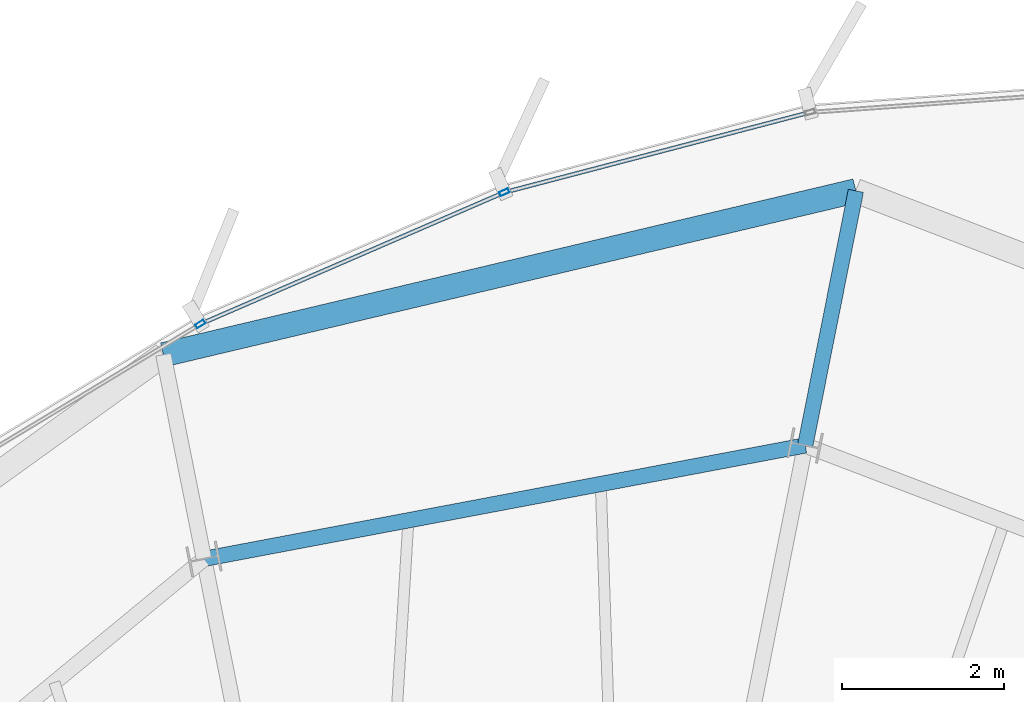
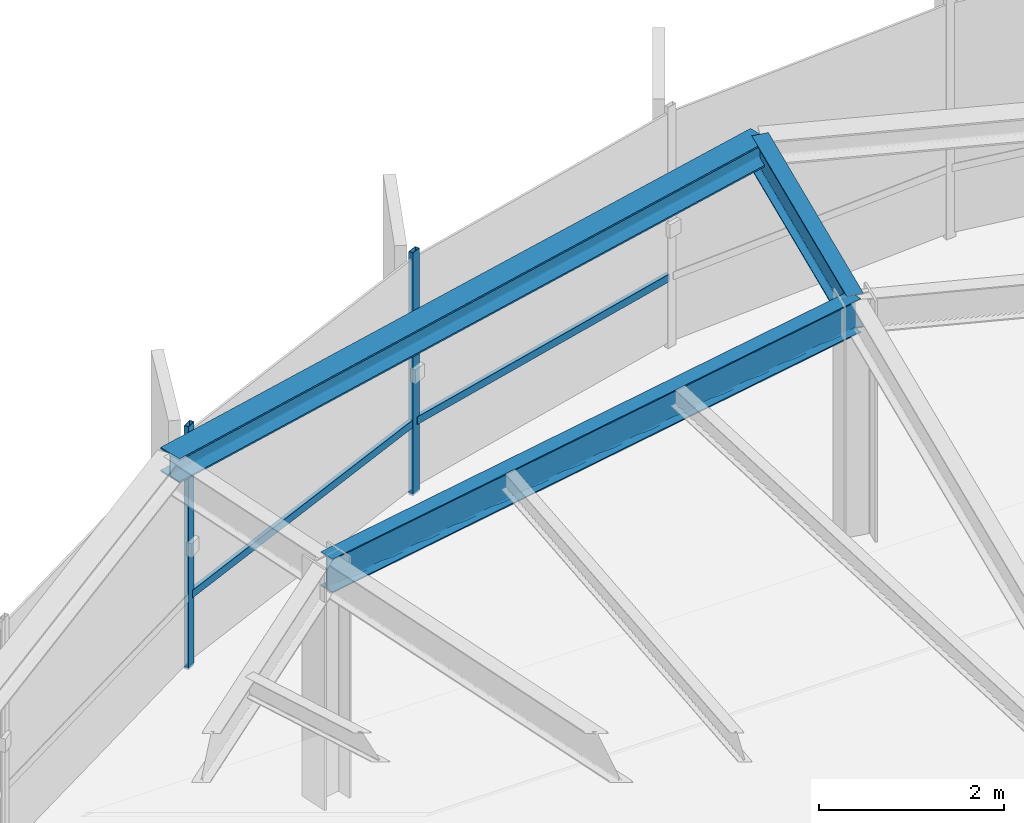
# One storey, part 21 of 33: 4 members, 3 beams, 1 element without a shape of its own.
"""IFC4 building model written with IfcOpenShell, lengths in metres."""

from ifc_helpers import new_model, si_unit, direction, frame, origin, origin_2d, place, context, subcontext, project, spatial, hollow_rectangle, i_section, extrude, source, transform, mapped, material, layer, layer_set, material_profile, profile_set, type_object, element, aggregate, save


model = new_model("IFC4")

# Units and contexts
model_context = context("Model", 3, precision=1e-05, world=origin(), true_north=direction((0.0, 1.0)))
body_context = subcontext(model_context, "Body", "Model", "MODEL_VIEW")
ifc_project = project(units=[si_unit("LENGTHUNIT", "METRE"), si_unit("AREAUNIT", "SQUARE_METRE"), si_unit("VOLUMEUNIT", "CUBIC_METRE"), si_unit("PLANEANGLEUNIT", "RADIAN"), si_unit("MASSUNIT", "GRAM", prefix="KILO"), si_unit("THERMODYNAMICTEMPERATUREUNIT", "KELVIN")], contexts=[model_context])

# Site, building, storey
site_placement = place(None, origin())
site = spatial("IfcSite", under=ifc_project, at=site_placement, CompositionType="ELEMENT")
building_placement = place(site_placement, origin())
building = spatial("IfcBuilding", under=site, at=building_placement, Name="Kethvar Cultural Tower", CompositionType="ELEMENT")
storey_placement = place(building_placement, frame((0.0, 0.0, 266.35009765625)))
storey = spatial("IfcBuildingStorey", under=building, at=storey_placement, Name="L70", CompositionType="ELEMENT", Elevation=266.35009765625)

# Beams
ifc_material_1 = material(Name="Steel S355J2", Category="steel")
ifc_material_profile_1 = material_profile(ifc_material_1, i_section(OverallWidth=0.18994140625, OverallDepth=0.449951171875, WebThickness=0.009521484375, FlangeThickness=0.0146484375, FilletRadius=0.02099609375, at=origin_2d()), Name="Steel S355J2 — IPE450")
ifc_profile_set_1 = profile_set([ifc_material_profile_1], Name="Steel S355J2 — IPE450")
beam_type_1 = type_object("IfcBeamType", Name="BM-IPE450", PredefinedType="BEAM", material=ifc_profile_set_1)
shared_shape_1 = source(origin(), body_context, "Body", "SweptSolid", [
    extrude(i_section(OverallWidth=0.18994140625, OverallDepth=0.449951171875, WebThickness=0.009521484375, FlangeThickness=0.0146484375, FilletRadius=0.02099609375, at=origin_2d()), origin(), (0.0, 0.0, 1.0), 3.199951171875),
])
beam_1_placement = place(storey_placement, frame((50.645263671875, 47.131591796875, 2.98291015625), z_axis=(0.195088965533, 0.980785550224, 0.0), x_axis=(-0.980785550224, 0.195088965533, 0.0)))
element("IfcBeam", 1, at=beam_1_placement, inside=storey, type_object=beam_type_1, Name="L70 Perimeter Cantilever Beam RC-04", PredefinedType="BEAM", context=body_context, shape_type="MappedRepresentation", body=[
    mapped(shared_shape_1, transform((0.0, 0.0, 0.0), scale=1.0)),
])
shared_shape_2 = source(origin(), body_context, "Body", "SweptSolid", [
    extrude(i_section(OverallWidth=0.18994140625, OverallDepth=0.449951171875, WebThickness=0.009521484375, FlangeThickness=0.0146484375, FilletRadius=0.02099609375, at=origin_2d()), origin(), (0.0, 0.0, 1.0), 7.543212890625),
])
beam_2_placement = place(storey_placement, frame((50.645263671875, 47.131591796875, 2.98291015625), z_axis=(-0.982646853086, -0.185486285532, 0.0), x_axis=(0.185486285532, -0.982646853086, 0.0)))
element("IfcBeam", 2, at=beam_2_placement, inside=storey, type_object=beam_type_1, Name="L70 Column Ring Tie Beam CR-04", PredefinedType="BEAM", context=body_context, shape_type="MappedRepresentation", body=[
    mapped(shared_shape_2, transform((0.0, 0.0, 0.0), scale=1.0)),
])
ifc_material_profile_2 = material_profile(ifc_material_1, i_section(OverallWidth=0.300048828125, OverallDepth=0.320068359375, WebThickness=0.011474609375, FlangeThickness=0.0205078125, FilletRadius=0.027099609375, at=origin_2d()), Name="Steel S355J2 — HEB320")
ifc_profile_set_2 = profile_set([ifc_material_profile_2], Name="Steel S355J2 — HEB320")
beam_type_2 = type_object("IfcBeamType", Name="BM-SP320", PredefinedType="SPANDREL", material=ifc_profile_set_2)
shared_shape_3 = source(origin(), body_context, "Body", "SweptSolid", [
    extrude(i_section(OverallWidth=0.300048828125, OverallDepth=0.320068359375, WebThickness=0.011474609375, FlangeThickness=0.0205078125, FilletRadius=0.027099609375, at=origin_2d()), origin(), (0.0, 0.0, 1.0), 8.77294921875),
])
beam_3_placement = place(storey_placement, frame((51.26953125, 50.27001953125, 3.0478515625), z_axis=(-0.973117063838, -0.230311050684, 0.0), x_axis=(0.230311050684, -0.973117063838, 0.0)))
element("IfcBeam", 3, at=beam_3_placement, inside=storey, type_object=beam_type_2, Name="L70 Perimeter Spandrel Beam SP-04", PredefinedType="SPANDREL", context=body_context, shape_type="MappedRepresentation", body=[
    mapped(shared_shape_3, transform((0.0, 0.0, 0.0), scale=1.0)),
])

# Curtain wall, members
ifc_material_2 = material(Name="Aluminium 6063-T6", Category="aluminium")
ifc_layer = layer(ifc_material_2, 0.179931640625, Name="Aluminium 6063-T6", Category="aluminium")
ifc_layer_set = layer_set([ifc_layer], Name="Aluminium 6063-T6 (180 mm)")
curtain_wall_type = type_object("IfcCurtainWallType", Name="CW-SYS-05-Z56", PredefinedType="NOTDEFINED", material=ifc_layer_set)
curtain_wall_placement = place(storey_placement, origin())
curtain_wall = element("IfcCurtainWall", 4, at=curtain_wall_placement, inside=storey, type_object=curtain_wall_type, Name="L70 Curtain Wall Run 01", PredefinedType="NOTDEFINED")
ifc_material_profile_3 = material_profile(ifc_material_2, hollow_rectangle(XDim=0.054931640625, YDim=0.1201171875, WallThickness=0.00390625, at=origin_2d()), Name="Aluminium 6063-T6 — RHS120x55x4")
ifc_profile_set_3 = profile_set([ifc_material_profile_3], Name="Aluminium 6063-T6 — RHS120x55x4")
member_type_1 = type_object("IfcMemberType", Name="CW-SYS-05-Z56-MUL", PredefinedType="MULLION", material=ifc_profile_set_3)
shared_shape_4 = source(origin(), body_context, "Body", "SweptSolid", [
    extrude(hollow_rectangle(XDim=0.054931640625, YDim=0.1201171875, WallThickness=0.00390625, at=origin_2d()), origin(), (0.0, 0.0, 1.0), 3.2099609375),
])
member_1_placement = place(storey_placement, frame((46.936279296875, 50.251708984375, 0.0), z_axis=(0.0, 0.0, 1.0), x_axis=(0.397724454441, -0.917504909164, 0.0)))
member_1 = element("IfcMember", 5, at=member_1_placement, type_object=member_type_1, Name="CW-L70-R01 Mullion 5", PredefinedType="MULLION", context=body_context, shape_type="MappedRepresentation", body=[
    mapped(shared_shape_4, transform((0.0, 0.0, 0.0), scale=1.0)),
])
member_2_placement = place(storey_placement, frame((43.189208984375, 48.62841796875, 0.0), z_axis=(0.0, 0.0, 1.0), x_axis=(0.516772423602, -0.856122807899, 0.0)))
member_2 = element("IfcMember", 6, at=member_2_placement, type_object=member_type_1, Name="CW-L70-R01 Mullion 6", PredefinedType="MULLION", context=body_context, shape_type="MappedRepresentation", body=[
    mapped(shared_shape_4, transform((0.0, 0.0, 0.0), scale=1.0)),
])
ifc_material_profile_4 = material_profile(ifc_material_2, hollow_rectangle(XDim=0.050048828125, YDim=0.10009765625, WallThickness=0.00390625, at=origin_2d()), Name="Aluminium 6063-T6 — RHS100x50x4")
ifc_profile_set_4 = profile_set([ifc_material_profile_4], Name="Aluminium 6063-T6 — RHS100x50x4")
member_type_2 = type_object("IfcMemberType", Name="CW-SYS-05-Z56-TRN", PredefinedType="USERDEFINED", material=ifc_profile_set_4)
shared_shape_5 = source(origin(), body_context, "Body", "SweptSolid", [
    extrude(hollow_rectangle(XDim=0.050048828125, YDim=0.10009765625, WallThickness=0.00390625, at=origin_2d()), origin(), (0.0, 0.0, 1.0), 3.834716796875),
])
member_3_placement = place(storey_placement, frame((50.669677734375, 51.22900390625, 0.949951171875), z_axis=(-0.967331343382, -0.253515427757, 0.0), x_axis=(0.253515427757, -0.967331343382, 0.0)))
member_3 = element("IfcMember", 7, at=member_3_placement, type_object=member_type_2, Name="CW-L70-R01 Transom 4", ObjectType="TRANSOM", PredefinedType="USERDEFINED", context=body_context, shape_type="MappedRepresentation", body=[
    mapped(shared_shape_5, transform((0.0, 0.0, 0.0), scale=1.0)),
])
shared_shape_6 = source(origin(), body_context, "Body", "SweptSolid", [
    extrude(hollow_rectangle(XDim=0.050048828125, YDim=0.10009765625, WallThickness=0.00390625, at=origin_2d()), origin(), (0.0, 0.0, 1.0), 4.017822265625),
])
member_4_placement = place(storey_placement, frame((46.89990234375, 50.236083984375, 0.949951171875), z_axis=(-0.917518674822, -0.397692697133, 0.0), x_axis=(0.397692697133, -0.917518674822, 0.0)))
member_4 = element("IfcMember", 8, at=member_4_placement, type_object=member_type_2, Name="CW-L70-R01 Transom 5", ObjectType="TRANSOM", PredefinedType="USERDEFINED", context=body_context, shape_type="MappedRepresentation", body=[
    mapped(shared_shape_6, transform((0.0, 0.0, 0.0), scale=1.0)),
])
aggregate(curtain_wall, [member_1, member_2, member_3, member_4])

save(model, "model.ifc")
